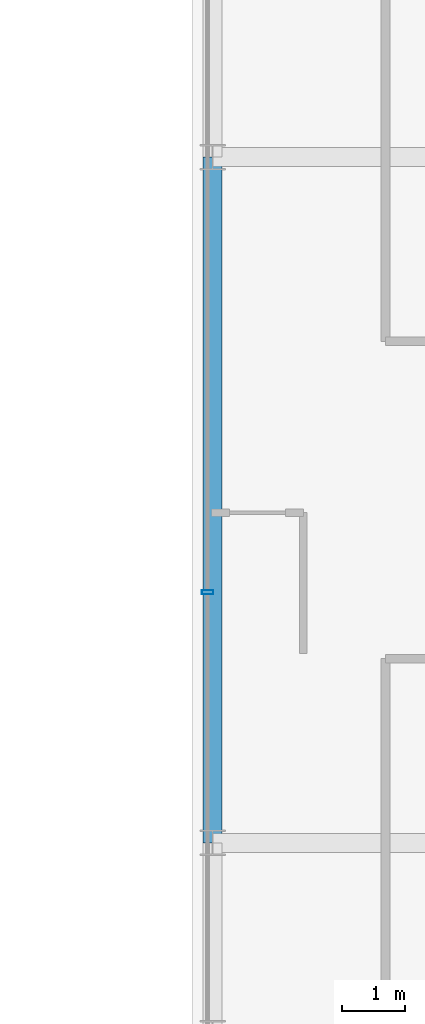
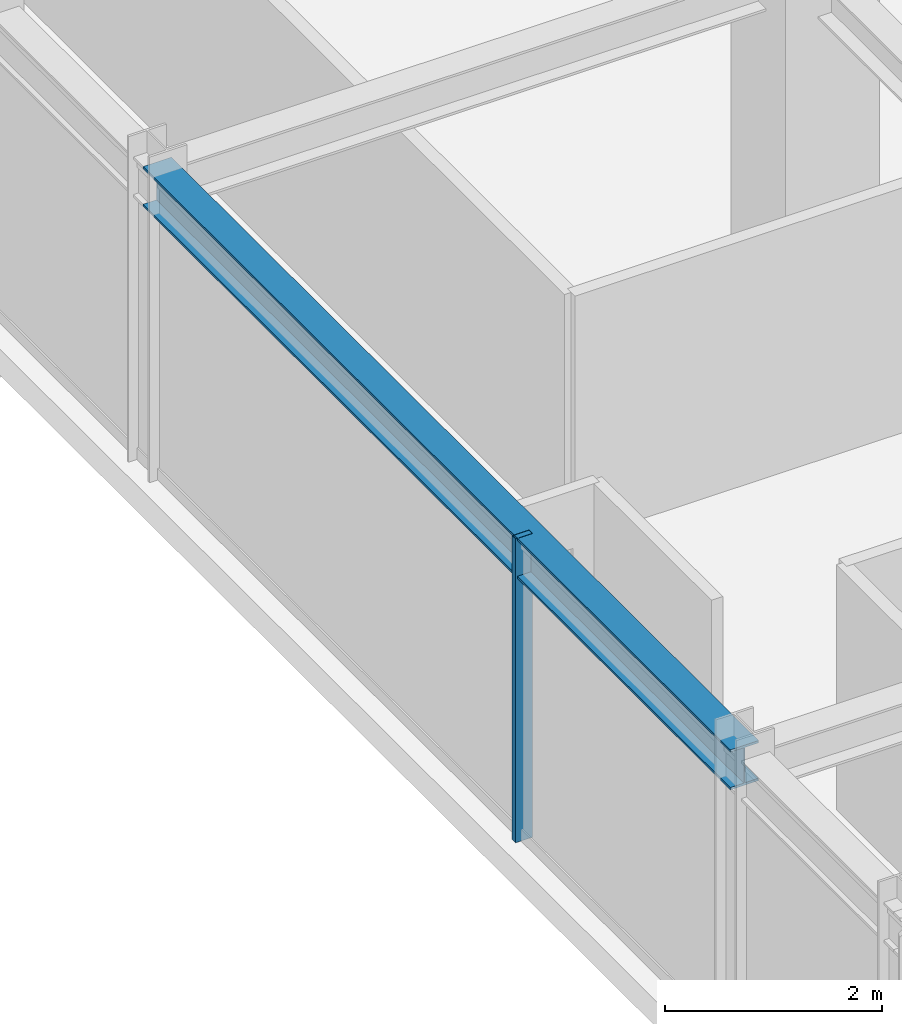
# One storey, part 10 of 36: 1 beam, 1 member, 1 element without a shape of its own.
"""IFC4 building model written with IfcOpenShell, lengths in metres."""

from ifc_helpers import new_model, si_unit, direction, frame, origin, origin_2d, place, context, subcontext, project, spatial, hollow_rectangle, i_section, extrude, source, transform, mapped, material, material_profile, profile_set, type_object, element, aggregate, save


model = new_model("IFC4")

# Units and contexts
model_context = context("Model", 3, precision=1e-05, world=origin(), true_north=direction((0.0, 1.0)))
body_context = subcontext(model_context, "Body", "Model", "MODEL_VIEW")
ifc_project = project(units=[si_unit("LENGTHUNIT", "METRE"), si_unit("AREAUNIT", "SQUARE_METRE"), si_unit("VOLUMEUNIT", "CUBIC_METRE"), si_unit("PLANEANGLEUNIT", "RADIAN"), si_unit("MASSUNIT", "GRAM", prefix="KILO")], contexts=[model_context])

# Site, building, storey
site_placement = place(None, origin())
site = spatial("IfcSite", under=ifc_project, at=site_placement, CompositionType="ELEMENT")
building_placement = place(site_placement, origin())
building = spatial("IfcBuilding", under=site, at=building_placement, Name="Nahalor Promenade Grand Hotel", CompositionType="ELEMENT")
storey_placement = place(building_placement, frame((0.0, 0.0, 212.300048828125)))
storey = spatial("IfcBuildingStorey", under=building, at=storey_placement, Name="L54", CompositionType="ELEMENT", Elevation=212.300048828125)

# Beam
ifc_material_1 = material(Name="Steel S355JR", Category="steel")
ifc_material_profile_1 = material_profile(ifc_material_1, i_section(OverallWidth=0.3, OverallDepth=0.45, WebThickness=0.014, FlangeThickness=0.026, at=origin_2d()), Name="HEB 450")
ifc_profile_set_1 = profile_set([ifc_material_profile_1], Name="Steel S355JR")
beam_type = type_object("IfcBeamType", Name="Beam-Spandrel-HEB450", PredefinedType="SPANDREL", material=ifc_profile_set_1)
shared_shape_1 = source(origin(), body_context, "Body", "SweptSolid", [
    extrude(i_section(OverallWidth=0.3, OverallDepth=0.45, WebThickness=0.014, FlangeThickness=0.026, at=origin_2d()), origin(), (0.0, 0.0, 1.0), 10.7998046875),
])
beam_placement = place(storey_placement, frame((-23.8798828125, -5.39990234375, 3.18505859375), z_axis=(0.0, 1.0, 0.0), x_axis=(-1.0, 0.0, 0.0)))
element("IfcBeam", 1, at=beam_placement, inside=storey, type_object=beam_type, Name="BM-L54-SP-W-2", PredefinedType="SPANDREL", context=body_context, shape_type="MappedRepresentation", body=[
    mapped(shared_shape_1, transform((0.0, 0.0, 0.0), scale=1.0)),
])

# Curtain wall, member
ifc_material_2 = material(Name="Anodised Bronze Aluminium EN AW-6063 T6", Category="aluminium")
curtain_wall_type = type_object("IfcCurtainWallType", Name="CW2 Typical Hotel Flush Bronze Unitised Curtain Wall", PredefinedType="USERDEFINED", material=ifc_material_2)
curtain_wall_placement = place(storey_placement, origin())
curtain_wall = element("IfcCurtainWall", 2, at=curtain_wall_placement, inside=storey, type_object=curtain_wall_type, Name="L54 Curtain Wall CW-L54-W-1", ObjectType="UNITISED_CURTAIN_WALL", PredefinedType="USERDEFINED")
ifc_material_profile_2 = material_profile(ifc_material_2, hollow_rectangle(XDim=0.065, YDim=0.18, WallThickness=0.004, at=origin_2d()), Name="CWM 65x180x4")
ifc_profile_set_2 = profile_set([ifc_material_profile_2], Name="Anodised Bronze Aluminium EN AW-6063 T6")
member_type = type_object("IfcMemberType", Name="CWM2 Typical Bronze Mullion 65x180", PredefinedType="MULLION", material=ifc_profile_set_2)
shared_shape_2 = source(origin(), body_context, "Body", "SweptSolid", [
    extrude(hollow_rectangle(XDim=0.065, YDim=0.18, WallThickness=0.004, at=origin_2d()), origin(), (0.0, 0.0, 1.0), 3.409912109375),
])
member_placement = place(storey_placement, frame((-23.9599609375, -1.453369140625, 0.0), z_axis=(0.0, 0.0, 1.0), x_axis=(0.0, 1.0, 0.0)))
member = element("IfcMember", 3, at=member_placement, type_object=member_type, Name="CW-L54-W-1 Mullion 2", PredefinedType="MULLION", context=body_context, shape_type="MappedRepresentation", body=[
    mapped(shared_shape_2, transform((0.0, 0.0, 0.0), scale=1.0)),
])
aggregate(curtain_wall, [member])

save(model, "model.ifc")
